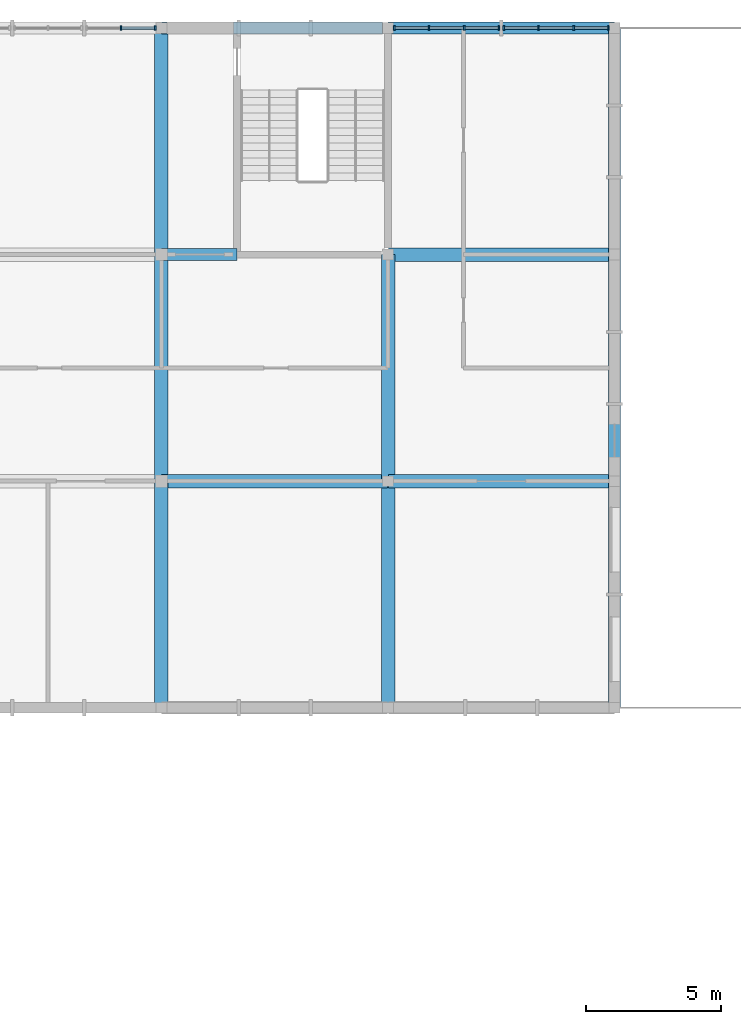
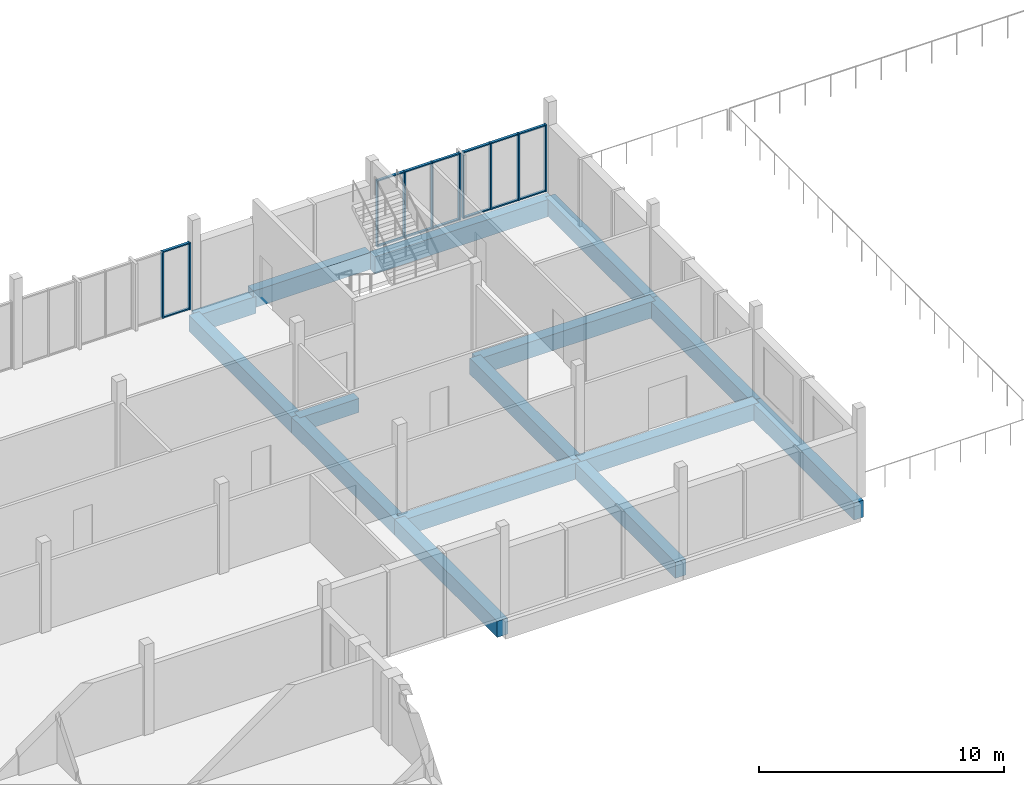
# One storey, part 10 of 30: 24 members, 15 beams, 3 elements without a shape of their own.
"""IFC4 building model written with IfcOpenShell, lengths in metres."""

from ifc_helpers import new_model, si_unit, direction, frame, origin, origin_2d, place, context, subcontext, project, spatial, rectangle, extrude, material, material_profile, profile_set, type_object, element, aggregate, save


model = new_model("IFC4")

# Units and contexts
model_context = context("Model", 3, precision=1e-05, world=origin(), true_north=direction((0.0, 1.0)))
body_context = subcontext(model_context, "Body", "Model", "MODEL_VIEW")
ifc_project = project(units=[si_unit("LENGTHUNIT", "METRE"), si_unit("AREAUNIT", "SQUARE_METRE"), si_unit("VOLUMEUNIT", "CUBIC_METRE"), si_unit("PLANEANGLEUNIT", "RADIAN"), si_unit("MASSUNIT", "GRAM", prefix="KILO")], contexts=[model_context])

# Site, building, storey
site_placement = place(None, origin())
site = spatial("IfcSite", under=ifc_project, at=site_placement, CompositionType="ELEMENT")
building_placement = place(site_placement, origin())
building = spatial("IfcBuilding", under=site, at=building_placement, Name="Fescue Hill Polytechnic", CompositionType="ELEMENT")
storey_placement = place(building_placement, frame((0.0, 0.0, 22.5)))
storey = spatial("IfcBuildingStorey", under=building, at=storey_placement, Name="L05", CompositionType="ELEMENT", Elevation=22.5)

# Beams
ifc_material_1 = material(Name="Concrete 35 MPa", Category="concrete")
ifc_material_profile_1 = material_profile(ifc_material_1, rectangle(XDim=0.449951171875, YDim=0.699951171875, at=origin_2d()), Name="RC 450x700")
ifc_profile_set_1 = profile_set([ifc_material_profile_1], Name="Concrete 35 MPa")
beam_type_1 = type_object("IfcBeamType", Name="Beam RC 450x700", PredefinedType="BEAM", material=ifc_profile_set_1)
beam_1_placement = place(storey_placement, frame((33.610107421875, 126.0, -0.64990234375), z_axis=(1.0, 0.0, 0.0), x_axis=(0.0, 1.0, 0.0)))
element("IfcBeam", 1, at=beam_1_placement, inside=storey, type_object=beam_type_1, Name="BM-L05-0066", PredefinedType="BEAM", context=body_context, shape_type="SweptSolid", body=[
    extrude(rectangle(XDim=0.449951171875, YDim=0.699951171875, at=origin_2d()), origin(), (0.0, 0.0, 1.0), 2.789794921875),
])
ifc_material_profile_2 = material_profile(ifc_material_1, rectangle(XDim=0.449951171875, YDim=0.85009765625, at=origin_2d()), Name="RC 450x850")
ifc_profile_set_2 = profile_set([ifc_material_profile_2], Name="Concrete 35 MPa")
beam_type_2 = type_object("IfcBeamType", Name="Beam RC 450x850", PredefinedType="BEAM", material=ifc_profile_set_2)
beam_2_placement = place(storey_placement, frame((33.610107421875, 134.39990234375, -0.72509765625), z_axis=(1.0, 0.0, 0.0), x_axis=(0.0, 1.0, 0.0)))
element("IfcBeam", 2, at=beam_2_placement, inside=storey, type_object=beam_type_2, Name="BM-L05-0067", PredefinedType="BEAM", context=body_context, shape_type="SweptSolid", body=[
    extrude(rectangle(XDim=0.449951171875, YDim=0.85009765625, at=origin_2d()), origin(), (0.0, 0.0, 1.0), 2.789794921875),
])
beam_3_placement = place(storey_placement, frame((42.0, 134.39990234375, -0.72509765625), z_axis=(1.0, 0.0, 0.0), x_axis=(0.0, 1.0, 0.0)))
element("IfcBeam", 3, at=beam_3_placement, inside=storey, type_object=beam_type_2, Name="BM-L05-0070", PredefinedType="BEAM", context=body_context, shape_type="SweptSolid", body=[
    extrude(rectangle(XDim=0.449951171875, YDim=0.85009765625, at=origin_2d()), origin(), (0.0, 0.0, 1.0), 8.389892578125),
])
beam_4_placement = place(storey_placement, frame((50.39990234375, 109.199951171875, -0.72509765625), z_axis=(0.0, 1.0, 0.0), x_axis=(-1.0, 0.0, 0.0)))
element("IfcBeam", 4, at=beam_4_placement, inside=storey, type_object=beam_type_2, Name="BM-L05-0074", PredefinedType="BEAM", context=body_context, shape_type="SweptSolid", body=[
    extrude(rectangle(XDim=0.449951171875, YDim=0.85009765625, at=origin_2d()), origin(), (0.0, 0.0, 1.0), 8.400146484375),
])
for number, where, z_axis, x_axis, name in (
    (5, (50.39990234375, 117.60009765625, -0.72509765625), (0.0, 1.0, 0.0), (-1.0, 0.0, 0.0), "BM-L05-0075"),
    (6, (50.39990234375, 126.0, -0.72509765625), (0.0, 1.0, 0.0), (-1.0, 0.0, 0.0), "BM-L05-0076"),
):
    element("IfcBeam", number, at=place(storey_placement, frame(where, z_axis=z_axis, x_axis=x_axis)), inside=storey, type_object=beam_type_2, Name=name, PredefinedType="BEAM", context=body_context, shape_type="SweptSolid", body=[
        extrude(rectangle(XDim=0.449951171875, YDim=0.85009765625, at=origin_2d()), origin(), (0.0, 0.0, 1.0), 8.39990234375),
    ])
beam_5_placement = place(storey_placement, frame((36.27490234375, 134.39990234375, -0.425048828125), z_axis=(1.0, 0.0, 0.0), x_axis=(0.0, 1.0, 0.0)))
element("IfcBeam", 7, at=beam_5_placement, inside=storey, type_object=beam_type_2, Name="BM-L05-0111", PredefinedType="BEAM", context=body_context, shape_type="SweptSolid", body=[
    extrude(rectangle(XDim=0.449951171875, YDim=0.85009765625, at=origin_2d()), origin(), (0.0, 0.0, 1.0), 5.525146484375),
])
ifc_material_profile_3 = material_profile(ifc_material_1, rectangle(XDim=0.5, YDim=0.800048828125, at=origin_2d()), Name="RC 500x800")
ifc_profile_set_3 = profile_set([ifc_material_profile_3], Name="Concrete 35 MPa")
beam_type_3 = type_object("IfcBeamType", Name="Beam RC 500x800", PredefinedType="BEAM", material=ifc_profile_set_3)
beam_6_placement = place(storey_placement, frame((33.60009765625, 109.199951171875, -0.699951171875), z_axis=(0.0, 1.0, 0.0), x_axis=(-1.0, 0.0, 0.0)))
element("IfcBeam", 8, at=beam_6_placement, inside=storey, type_object=beam_type_3, Name="BM-L05-0061", PredefinedType="BEAM", context=body_context, shape_type="SweptSolid", body=[
    extrude(rectangle(XDim=0.5, YDim=0.800048828125, at=origin_2d()), origin(), (0.0, 0.0, 1.0), 8.400146484375),
])
for number, where, z_axis, x_axis, name in (
    (9, (33.60009765625, 117.60009765625, -0.699951171875), (0.0, 1.0, 0.0), (-1.0, 0.0, 0.0), "BM-L05-0062"),
    (10, (33.60009765625, 126.0, -0.699951171875), (0.0, 1.0, 0.0), (-1.0, 0.0, 0.0), "BM-L05-0063"),
):
    element("IfcBeam", number, at=place(storey_placement, frame(where, z_axis=z_axis, x_axis=x_axis)), inside=storey, type_object=beam_type_3, Name=name, PredefinedType="BEAM", context=body_context, shape_type="SweptSolid", body=[
        extrude(rectangle(XDim=0.5, YDim=0.800048828125, at=origin_2d()), origin(), (0.0, 0.0, 1.0), 8.39990234375),
    ])
beam_7_placement = place(storey_placement, frame((33.610107421875, 117.60009765625, -0.699951171875), z_axis=(1.0, 0.0, 0.0), x_axis=(0.0, 1.0, 0.0)))
element("IfcBeam", 11, at=beam_7_placement, inside=storey, type_object=beam_type_3, Name="BM-L05-0065", PredefinedType="BEAM", context=body_context, shape_type="SweptSolid", body=[
    extrude(rectangle(XDim=0.5, YDim=0.800048828125, at=origin_2d()), origin(), (0.0, 0.0, 1.0), 8.3798828125),
])
beam_8_placement = place(storey_placement, frame((42.0, 109.199951171875, -0.699951171875), z_axis=(0.0, 1.0, 0.0), x_axis=(-1.0, 0.0, 0.0)))
element("IfcBeam", 12, at=beam_8_placement, inside=storey, type_object=beam_type_3, Name="BM-L05-0068", PredefinedType="BEAM", context=body_context, shape_type="SweptSolid", body=[
    extrude(rectangle(XDim=0.5, YDim=0.800048828125, at=origin_2d()), origin(), (0.0, 0.0, 1.0), 8.400146484375),
])
beam_9_placement = place(storey_placement, frame((42.0, 117.60009765625, -0.699951171875), z_axis=(0.0, 1.0, 0.0), x_axis=(-1.0, 0.0, 0.0)))
element("IfcBeam", 13, at=beam_9_placement, inside=storey, type_object=beam_type_3, Name="BM-L05-0069", PredefinedType="BEAM", context=body_context, shape_type="SweptSolid", body=[
    extrude(rectangle(XDim=0.5, YDim=0.800048828125, at=origin_2d()), origin(), (0.0, 0.0, 1.0), 8.39990234375),
])
for number, where, z_axis, x_axis, name in (
    (14, (42.010009765625, 117.60009765625, -0.699951171875), (1.0, 0.0, 0.0), (0.0, 1.0, 0.0), "BM-L05-0072"),
    (15, (42.010009765625, 126.0, -0.699951171875), (1.0, 0.0, 0.0), (0.0, 1.0, 0.0), "BM-L05-0073"),
):
    element("IfcBeam", number, at=place(storey_placement, frame(where, z_axis=z_axis, x_axis=x_axis)), inside=storey, type_object=beam_type_3, Name=name, PredefinedType="BEAM", context=body_context, shape_type="SweptSolid", body=[
        extrude(rectangle(XDim=0.5, YDim=0.800048828125, at=origin_2d()), origin(), (0.0, 0.0, 1.0), 8.3798828125),
    ])

# Curtain wall, members
ifc_material_2 = material(Name="Glass", Category="glass")
curtain_wall_type = type_object("IfcCurtainWallType", Name="Curtain wall structural glazing", PredefinedType="NOTDEFINED", material=ifc_material_2)
curtain_wall_1_placement = place(storey_placement, origin())
curtain_wall_1 = element("IfcCurtainWall", 16, at=curtain_wall_1_placement, inside=storey, type_object=curtain_wall_type, Name="CW-L05-V5-1", PredefinedType="NOTDEFINED")
ifc_material_3 = material(Name="Powder-coated aluminium", Category="aluminium")
ifc_material_profile_4 = material_profile(ifc_material_3, rectangle(XDim=0.159912109375, YDim=0.06005859375, at=origin_2d()), Name="Mullion aluminium 60x160")
ifc_profile_set_4 = profile_set([ifc_material_profile_4], Name="Powder-coated aluminium")
member_type_1 = type_object("IfcMemberType", Name="Mullion aluminium 60x160", PredefinedType="MULLION", material=ifc_profile_set_4)
member_1_placement = place(storey_placement, frame((50.169921875, 134.39990234375, 0.0), z_axis=(0.0, 0.0, 1.0), x_axis=(0.0, -1.0, 0.0)))
member_1 = element("IfcMember", 17, at=member_1_placement, type_object=member_type_1, Name="CW92 mullion 1", PredefinedType="MULLION", context=body_context, shape_type="SweptSolid", body=[
    extrude(rectangle(XDim=0.159912109375, YDim=0.06005859375, at=origin_2d()), origin(), (0.0, 0.0, 1.0), 3.330078125),
])
member_2_placement = place(storey_placement, frame((48.88671875, 134.39990234375, 0.0), z_axis=(0.0, 0.0, 1.0), x_axis=(0.0, -1.0, 0.0)))
member_2 = element("IfcMember", 18, at=member_2_placement, type_object=member_type_1, Name="CW92 mullion 2", PredefinedType="MULLION", context=body_context, shape_type="SweptSolid", body=[
    extrude(rectangle(XDim=0.159912109375, YDim=0.06005859375, at=origin_2d()), origin(), (0.0, 0.0, 1.0), 3.330078125),
])
member_3_placement = place(storey_placement, frame((47.5732421875, 134.39990234375, 0.0), z_axis=(0.0, 0.0, 1.0), x_axis=(0.0, -1.0, 0.0)))
member_3 = element("IfcMember", 19, at=member_3_placement, type_object=member_type_1, Name="CW92 mullion 3", PredefinedType="MULLION", context=body_context, shape_type="SweptSolid", body=[
    extrude(rectangle(XDim=0.159912109375, YDim=0.06005859375, at=origin_2d()), origin(), (0.0, 0.0, 1.0), 3.330078125),
])
member_4_placement = place(storey_placement, frame((46.2900390625, 134.39990234375, 0.0), z_axis=(0.0, 0.0, 1.0), x_axis=(0.0, -1.0, 0.0)))
member_4 = element("IfcMember", 20, at=member_4_placement, type_object=member_type_1, Name="CW92 mullion 4", PredefinedType="MULLION", context=body_context, shape_type="SweptSolid", body=[
    extrude(rectangle(XDim=0.159912109375, YDim=0.06005859375, at=origin_2d()), origin(), (0.0, 0.0, 1.0), 3.330078125),
])

curtain_wall_2_placement = place(storey_placement, origin())
curtain_wall_2 = element("IfcCurtainWall", 21, at=curtain_wall_2_placement, inside=storey, type_object=curtain_wall_type, Name="CW-L05-V5-2", PredefinedType="NOTDEFINED")
member_5_placement = place(storey_placement, frame((33.3701171875, 134.39990234375, 0.0), z_axis=(0.0, 0.0, 1.0), x_axis=(0.0, -1.0, 0.0)))
member_5 = element("IfcMember", 22, at=member_5_placement, type_object=member_type_1, Name="CW93 mullion 1", PredefinedType="MULLION", context=body_context, shape_type="SweptSolid", body=[
    extrude(rectangle(XDim=0.159912109375, YDim=0.06005859375, at=origin_2d()), origin(), (0.0, 0.0, 1.0), 3.330078125),
])
member_6_placement = place(storey_placement, frame((32.0966796875, 134.39990234375, 0.0), z_axis=(0.0, 0.0, 1.0), x_axis=(0.0, -1.0, 0.0)))
member_6 = element("IfcMember", 23, at=member_6_placement, type_object=member_type_1, Name="CW93 mullion 2", PredefinedType="MULLION", context=body_context, shape_type="SweptSolid", body=[
    extrude(rectangle(XDim=0.159912109375, YDim=0.06005859375, at=origin_2d()), origin(), (0.0, 0.0, 1.0), 3.330078125),
])

curtain_wall_3_placement = place(storey_placement, origin())
curtain_wall_3 = element("IfcCurtainWall", 24, at=curtain_wall_3_placement, inside=storey, type_object=curtain_wall_type, Name="CW-L05-V5-X2", PredefinedType="NOTDEFINED")
member_7_placement = place(storey_placement, frame((46.110107421875, 134.39990234375, 0.0), z_axis=(0.0, 0.0, 1.0), x_axis=(0.0, -1.0, 0.0)))
member_7 = element("IfcMember", 25, at=member_7_placement, type_object=member_type_1, Name="CW154 mullion 1", PredefinedType="MULLION", context=body_context, shape_type="SweptSolid", body=[
    extrude(rectangle(XDim=0.159912109375, YDim=0.06005859375, at=origin_2d()), origin(), (0.0, 0.0, 1.0), 3.330078125),
])
member_8_placement = place(storey_placement, frame((44.82666015625, 134.39990234375, 0.0), z_axis=(0.0, 0.0, 1.0), x_axis=(0.0, -1.0, 0.0)))
member_8 = element("IfcMember", 26, at=member_8_placement, type_object=member_type_1, Name="CW154 mullion 2", PredefinedType="MULLION", context=body_context, shape_type="SweptSolid", body=[
    extrude(rectangle(XDim=0.159912109375, YDim=0.06005859375, at=origin_2d()), origin(), (0.0, 0.0, 1.0), 3.330078125),
])
member_9_placement = place(storey_placement, frame((43.513427734375, 134.39990234375, 0.0), z_axis=(0.0, 0.0, 1.0), x_axis=(0.0, -1.0, 0.0)))
member_9 = element("IfcMember", 27, at=member_9_placement, type_object=member_type_1, Name="CW154 mullion 3", PredefinedType="MULLION", context=body_context, shape_type="SweptSolid", body=[
    extrude(rectangle(XDim=0.159912109375, YDim=0.06005859375, at=origin_2d()), origin(), (0.0, 0.0, 1.0), 3.330078125),
])
member_10_placement = place(storey_placement, frame((42.22998046875, 134.39990234375, 0.0), z_axis=(0.0, 0.0, 1.0), x_axis=(0.0, -1.0, 0.0)))
member_10 = element("IfcMember", 28, at=member_10_placement, type_object=member_type_1, Name="CW154 mullion 4", PredefinedType="MULLION", context=body_context, shape_type="SweptSolid", body=[
    extrude(rectangle(XDim=0.159912109375, YDim=0.06005859375, at=origin_2d()), origin(), (0.0, 0.0, 1.0), 3.330078125),
])

# Member
ifc_material_profile_5 = material_profile(ifc_material_3, rectangle(XDim=0.1201171875, YDim=0.06005859375, at=origin_2d()), Name="Transom aluminium 60x120")
ifc_profile_set_5 = profile_set([ifc_material_profile_5], Name="Powder-coated aluminium")
member_type_2 = type_object("IfcMemberType", Name="Transom aluminium 60x120", PredefinedType="USERDEFINED", material=ifc_profile_set_5)
member_11_placement = place(storey_placement, frame((50.139892578125, 134.39990234375, 0.030029296875), z_axis=(-1.0, 0.0, 0.0), x_axis=(0.0, -1.0, 0.0)))
member_11 = element("IfcMember", 29, at=member_11_placement, type_object=member_type_2, Name="CW92 transom 1.1", ObjectType="TRANSOM", PredefinedType="USERDEFINED", context=body_context, shape_type="SweptSolid", body=[
    extrude(rectangle(XDim=0.1201171875, YDim=0.06005859375, at=origin_2d()), origin(), (0.0, 0.0, 1.0), 1.22314453125),
])

member_12_placement = place(storey_placement, frame((50.139892578125, 134.39990234375, 3.300048828125), z_axis=(-1.0, 0.0, 0.0), x_axis=(0.0, -1.0, 0.0)))
member_12 = element("IfcMember", 30, at=member_12_placement, type_object=member_type_2, Name="CW92 transom 1.2", ObjectType="TRANSOM", PredefinedType="USERDEFINED", context=body_context, shape_type="SweptSolid", body=[
    extrude(rectangle(XDim=0.1201171875, YDim=0.06005859375, at=origin_2d()), origin(), (0.0, 0.0, 1.0), 1.22314453125),
])

member_13_placement = place(storey_placement, frame((48.856689453125, 134.39990234375, 0.030029296875), z_axis=(-1.0, 0.0, 0.0), x_axis=(0.0, -1.0, 0.0)))
member_13 = element("IfcMember", 31, at=member_13_placement, type_object=member_type_2, Name="CW92 transom 2.1", ObjectType="TRANSOM", PredefinedType="USERDEFINED", context=body_context, shape_type="SweptSolid", body=[
    extrude(rectangle(XDim=0.1201171875, YDim=0.06005859375, at=origin_2d()), origin(), (0.0, 0.0, 1.0), 1.25341796875),
])

member_14_placement = place(storey_placement, frame((48.856689453125, 134.39990234375, 3.300048828125), z_axis=(-1.0, 0.0, 0.0), x_axis=(0.0, -1.0, 0.0)))
member_14 = element("IfcMember", 32, at=member_14_placement, type_object=member_type_2, Name="CW92 transom 2.2", ObjectType="TRANSOM", PredefinedType="USERDEFINED", context=body_context, shape_type="SweptSolid", body=[
    extrude(rectangle(XDim=0.1201171875, YDim=0.06005859375, at=origin_2d()), origin(), (0.0, 0.0, 1.0), 1.25341796875),
])

member_15_placement = place(storey_placement, frame((47.543212890625, 134.39990234375, 0.030029296875), z_axis=(-1.0, 0.0, 0.0), x_axis=(0.0, -1.0, 0.0)))
member_15 = element("IfcMember", 33, at=member_15_placement, type_object=member_type_2, Name="CW92 transom 3.1", ObjectType="TRANSOM", PredefinedType="USERDEFINED", context=body_context, shape_type="SweptSolid", body=[
    extrude(rectangle(XDim=0.1201171875, YDim=0.06005859375, at=origin_2d()), origin(), (0.0, 0.0, 1.0), 1.22314453125),
])

member_16_placement = place(storey_placement, frame((47.543212890625, 134.39990234375, 3.300048828125), z_axis=(-1.0, 0.0, 0.0), x_axis=(0.0, -1.0, 0.0)))
member_16 = element("IfcMember", 34, at=member_16_placement, type_object=member_type_2, Name="CW92 transom 3.2", ObjectType="TRANSOM", PredefinedType="USERDEFINED", context=body_context, shape_type="SweptSolid", body=[
    extrude(rectangle(XDim=0.1201171875, YDim=0.06005859375, at=origin_2d()), origin(), (0.0, 0.0, 1.0), 1.22314453125),
])

aggregate(curtain_wall_1, [member_1, member_2, member_3, member_4, member_11, member_12, member_13, member_14, member_15, member_16])

member_17_placement = place(storey_placement, frame((33.340087890625, 134.39990234375, 0.030029296875), z_axis=(-1.0, 0.0, 0.0), x_axis=(0.0, -1.0, 0.0)))
member_17 = element("IfcMember", 35, at=member_17_placement, type_object=member_type_2, Name="CW93 transom 1.1", ObjectType="TRANSOM", PredefinedType="USERDEFINED", context=body_context, shape_type="SweptSolid", body=[
    extrude(rectangle(XDim=0.1201171875, YDim=0.06005859375, at=origin_2d()), origin(), (0.0, 0.0, 1.0), 1.21337890625),
])

member_18_placement = place(storey_placement, frame((33.340087890625, 134.39990234375, 3.300048828125), z_axis=(-1.0, 0.0, 0.0), x_axis=(0.0, -1.0, 0.0)))
member_18 = element("IfcMember", 36, at=member_18_placement, type_object=member_type_2, Name="CW93 transom 1.2", ObjectType="TRANSOM", PredefinedType="USERDEFINED", context=body_context, shape_type="SweptSolid", body=[
    extrude(rectangle(XDim=0.1201171875, YDim=0.06005859375, at=origin_2d()), origin(), (0.0, 0.0, 1.0), 1.21337890625),
])

aggregate(curtain_wall_2, [member_5, member_6, member_17, member_18])

member_19_placement = place(storey_placement, frame((46.080078125, 134.39990234375, 0.030029296875), z_axis=(-1.0, 0.0, 0.0), x_axis=(0.0, -1.0, 0.0)))
member_19 = element("IfcMember", 37, at=member_19_placement, type_object=member_type_2, Name="CW154 transom 1.1", ObjectType="TRANSOM", PredefinedType="USERDEFINED", context=body_context, shape_type="SweptSolid", body=[
    extrude(rectangle(XDim=0.1201171875, YDim=0.06005859375, at=origin_2d()), origin(), (0.0, 0.0, 1.0), 1.223388671875),
])

member_20_placement = place(storey_placement, frame((46.080078125, 134.39990234375, 3.300048828125), z_axis=(-1.0, 0.0, 0.0), x_axis=(0.0, -1.0, 0.0)))
member_20 = element("IfcMember", 38, at=member_20_placement, type_object=member_type_2, Name="CW154 transom 1.2", ObjectType="TRANSOM", PredefinedType="USERDEFINED", context=body_context, shape_type="SweptSolid", body=[
    extrude(rectangle(XDim=0.1201171875, YDim=0.06005859375, at=origin_2d()), origin(), (0.0, 0.0, 1.0), 1.223388671875),
])

member_21_placement = place(storey_placement, frame((44.796630859375, 134.39990234375, 0.030029296875), z_axis=(-1.0, 0.0, 0.0), x_axis=(0.0, -1.0, 0.0)))
member_21 = element("IfcMember", 39, at=member_21_placement, type_object=member_type_2, Name="CW154 transom 2.1", ObjectType="TRANSOM", PredefinedType="USERDEFINED", context=body_context, shape_type="SweptSolid", body=[
    extrude(rectangle(XDim=0.1201171875, YDim=0.06005859375, at=origin_2d()), origin(), (0.0, 0.0, 1.0), 1.25341796875),
])

member_22_placement = place(storey_placement, frame((44.796630859375, 134.39990234375, 3.300048828125), z_axis=(-1.0, 0.0, 0.0), x_axis=(0.0, -1.0, 0.0)))
member_22 = element("IfcMember", 40, at=member_22_placement, type_object=member_type_2, Name="CW154 transom 2.2", ObjectType="TRANSOM", PredefinedType="USERDEFINED", context=body_context, shape_type="SweptSolid", body=[
    extrude(rectangle(XDim=0.1201171875, YDim=0.06005859375, at=origin_2d()), origin(), (0.0, 0.0, 1.0), 1.25341796875),
])

member_23_placement = place(storey_placement, frame((43.4833984375, 134.39990234375, 0.030029296875), z_axis=(-1.0, 0.0, 0.0), x_axis=(0.0, -1.0, 0.0)))
member_23 = element("IfcMember", 41, at=member_23_placement, type_object=member_type_2, Name="CW154 transom 3.1", ObjectType="TRANSOM", PredefinedType="USERDEFINED", context=body_context, shape_type="SweptSolid", body=[
    extrude(rectangle(XDim=0.1201171875, YDim=0.06005859375, at=origin_2d()), origin(), (0.0, 0.0, 1.0), 1.223388671875),
])

member_24_placement = place(storey_placement, frame((43.4833984375, 134.39990234375, 3.300048828125), z_axis=(-1.0, 0.0, 0.0), x_axis=(0.0, -1.0, 0.0)))
member_24 = element("IfcMember", 42, at=member_24_placement, type_object=member_type_2, Name="CW154 transom 3.2", ObjectType="TRANSOM", PredefinedType="USERDEFINED", context=body_context, shape_type="SweptSolid", body=[
    extrude(rectangle(XDim=0.1201171875, YDim=0.06005859375, at=origin_2d()), origin(), (0.0, 0.0, 1.0), 1.223388671875),
])

aggregate(curtain_wall_3, [member_7, member_8, member_9, member_10, member_19, member_20, member_21, member_22, member_23, member_24])

save(model, "model.ifc")
